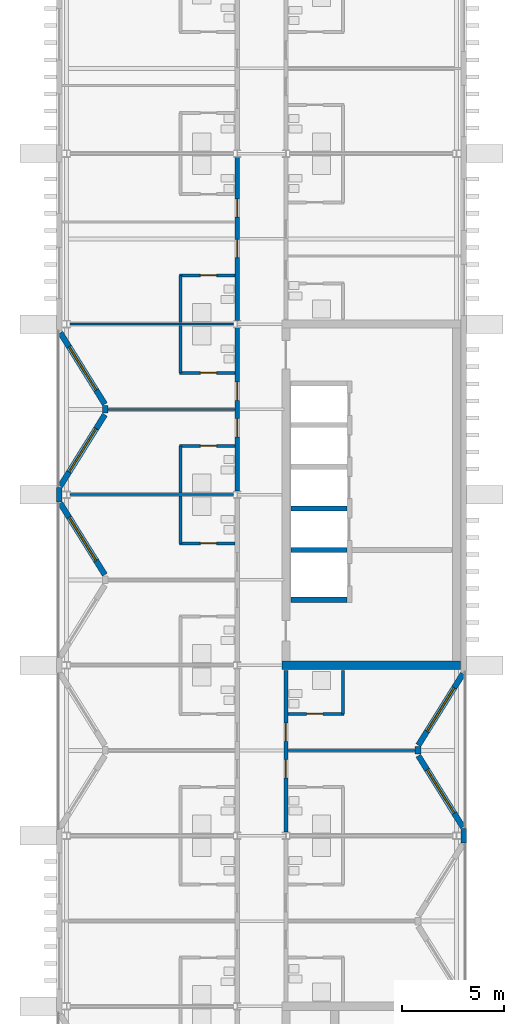
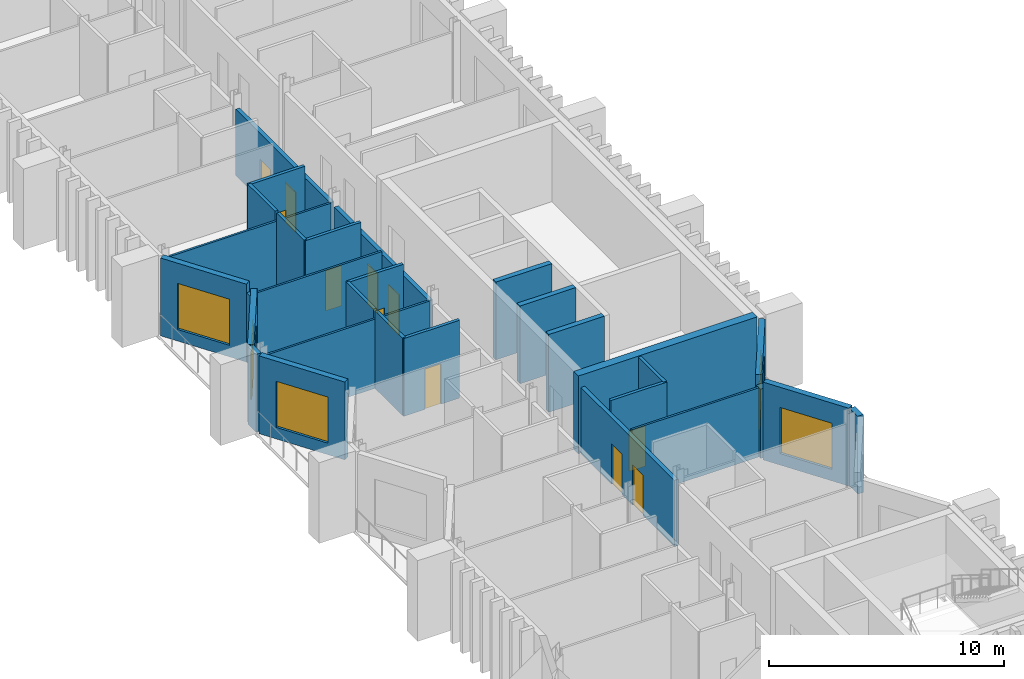
# One storey, part 6 of 11: 30 walls, 11 doors, 5 windows, 16 openings.
"""IFC4 building model written with IfcOpenShell, lengths in metres."""

from ifc_helpers import new_model, si_unit, direction, frame, frame_2d, origin, place, context, subcontext, project, spatial, rectangle, extrude, material, layer, layer_set, type_object, element, fill, save


model = new_model("IFC4")

# Units and contexts
model_context = context("Model", 3, precision=1e-05, world=origin(), true_north=direction((0.0, 1.0)))
body_context = subcontext(model_context, "Body", "Model", "MODEL_VIEW")
ifc_project = project(units=[si_unit("LENGTHUNIT", "METRE"), si_unit("AREAUNIT", "SQUARE_METRE"), si_unit("VOLUMEUNIT", "CUBIC_METRE"), si_unit("PLANEANGLEUNIT", "RADIAN"), si_unit("MASSUNIT", "GRAM", prefix="KILO")], contexts=[model_context])

# Site, building, storey
site_placement = place(None, origin())
site = spatial("IfcSite", under=ifc_project, at=site_placement, CompositionType="ELEMENT")
building_placement = place(site_placement, origin())
building = spatial("IfcBuilding", under=site, at=building_placement, Name="Cresset Court Congress Hotel", CompositionType="ELEMENT")
storey_placement = place(building_placement, frame((0.0, 0.0, 48.0)))
storey = spatial("IfcBuildingStorey", under=building, at=storey_placement, Name="L11", CompositionType="ELEMENT", Elevation=48.0)

# Wall, openings, doors
ifc_material_1 = material(Name="Gypsum board partition")
ifc_layer_1 = layer(ifc_material_1, 0.199951171875)
ifc_layer_set_1 = layer_set([ifc_layer_1], Name="Corridor wall 200")
wall_type_1 = type_object("IfcWallType", Name="Corridor wall 200", PredefinedType="PARTITIONING", material=ifc_layer_set_1)
wall_1_placement = place(storey_placement, frame((165.60009765625, 33.77490234375, 0.0), z_axis=(0.0, 0.0, 1.0), x_axis=(0.0, 1.0, 0.0)))
wall_1 = element("IfcWall", 1, at=wall_1_placement, inside=storey, type_object=wall_type_1, Name="A.wl.L11.074", PredefinedType="PARTITIONING", context=body_context, shape_type="SweptSolid", body=[
    extrude(rectangle(XDim=8.050048828125, YDim=0.199951171875, at=frame_2d((4.02490234375, 0.0))), origin(), (0.0, 0.0, 1.0), 3.449951171875),
])
opening_1_placement = place(wall_1_placement, frame((2.675048828125, 0.0, 0.0)))
opening_1 = element("IfcOpeningElement", 2, at=opening_1_placement, cuts=wall_1, Name="Opening DA-11-18", PredefinedType="OPENING", context=body_context, shape_type="SweptSolid", body=[
    extrude(rectangle(XDim=0.89990234375, YDim=2.10009765625, at=frame_2d((0.449951171875, 1.050048828125))), frame((0.0, 0.10986328125, 0.0), z_axis=(0.0, -1.0, 0.0), x_axis=(1.0, 0.0, 0.0)), (0.0, 0.0, 1.0), 0.219970703125),
])
opening_2_placement = place(wall_1_placement, frame((4.47509765625, 0.0, 0.0)))
opening_2 = element("IfcOpeningElement", 3, at=opening_2_placement, cuts=wall_1, Name="Opening DA-11-20", PredefinedType="OPENING", context=body_context, shape_type="SweptSolid", body=[
    extrude(rectangle(XDim=0.89990234375, YDim=2.10009765625, at=frame_2d((0.449951171875, 1.050048828125))), frame((0.0, 0.10986328125, 0.0), z_axis=(0.0, -1.0, 0.0), x_axis=(1.0, 0.0, 0.0)), (0.0, 0.0, 1.0), 0.219970703125),
])
ifc_material_2 = material(Name="timber", Category="wood")
door_type_1 = type_object("IfcDoorType", Name="Guest-room entry door 900x2100 FD30S", OperationType="SINGLE_SWING_LEFT", PredefinedType="DOOR", material=ifc_material_2)
door_1_placement = place(opening_1_placement, origin())
door_1 = element("IfcDoor", 4, at=door_1_placement, inside=storey, type_object=door_type_1, Name="Door DA-11-18", OperationType="SINGLE_SWING_RIGHT", OverallHeight=2.10009765625, OverallWidth=0.89990234375, PredefinedType="DOOR", context=body_context, shape_type="SweptSolid", body=[
    extrude(rectangle(XDim=0.89990234375, YDim=2.10009765625, at=frame_2d((0.449951171875, 1.050048828125))), frame((0.0, 0.02490234375, 0.0), z_axis=(0.0, -1.0, 0.0), x_axis=(1.0, 0.0, 0.0)), (0.0, 0.0, 1.0), 0.050048828125),
])
fill(opening_1, door_1)
door_2_placement = place(opening_2_placement, origin())
door_2 = element("IfcDoor", 5, at=door_2_placement, inside=storey, type_object=door_type_1, Name="Door DA-11-20", OperationType="SINGLE_SWING_LEFT", OverallHeight=2.10009765625, OverallWidth=0.89990234375, PredefinedType="DOOR", context=body_context, shape_type="SweptSolid", body=[
    extrude(rectangle(XDim=0.89990234375, YDim=2.10009765625, at=frame_2d((0.449951171875, 1.050048828125))), frame((0.0, 0.02490234375, 0.0), z_axis=(0.0, -1.0, 0.0), x_axis=(1.0, 0.0, 0.0)), (0.0, 0.0, 1.0), 0.050048828125),
])
fill(opening_2, door_2)

wall_2_placement = place(storey_placement, frame((165.60009765625, 42.175048828125, 0.0), z_axis=(0.0, 0.0, 1.0), x_axis=(0.0, 1.0, 0.0)))
wall_2 = element("IfcWall", 6, at=wall_2_placement, inside=storey, type_object=wall_type_1, Name="A.wl.L11.075", PredefinedType="PARTITIONING", context=body_context, shape_type="SweptSolid", body=[
    extrude(rectangle(XDim=8.050048828125, YDim=0.199951171875, at=frame_2d((4.02490234375, 0.0))), origin(), (0.0, 0.0, 1.0), 3.449951171875),
])
opening_3_placement = place(wall_2_placement, frame((3.094970703125, 0.0, 0.0)))
opening_3 = element("IfcOpeningElement", 7, at=opening_3_placement, cuts=wall_2, Name="Opening DA-11-22", PredefinedType="OPENING", context=body_context, shape_type="SweptSolid", body=[
    extrude(rectangle(XDim=0.89990234375, YDim=2.10009765625, at=frame_2d((0.449951171875, 1.050048828125))), frame((0.0, 0.10986328125, 0.0), z_axis=(0.0, -1.0, 0.0), x_axis=(1.0, 0.0, 0.0)), (0.0, 0.0, 1.0), 0.219970703125),
])
opening_4_placement = place(wall_2_placement, frame((5.094970703125, 0.0, 0.0)))
opening_4 = element("IfcOpeningElement", 8, at=opening_4_placement, cuts=wall_2, Name="Opening DA-11-24", PredefinedType="OPENING", context=body_context, shape_type="SweptSolid", body=[
    extrude(rectangle(XDim=0.89990234375, YDim=2.10009765625, at=frame_2d((0.449951171875, 1.050048828125))), frame((0.0, 0.10986328125, 0.0), z_axis=(0.0, -1.0, 0.0), x_axis=(1.0, 0.0, 0.0)), (0.0, 0.0, 1.0), 0.219970703125),
])
door_3_placement = place(opening_3_placement, origin())
door_3 = element("IfcDoor", 9, at=door_3_placement, inside=storey, type_object=door_type_1, Name="Door DA-11-22", OperationType="SINGLE_SWING_RIGHT", OverallHeight=2.10009765625, OverallWidth=0.89990234375, PredefinedType="DOOR", context=body_context, shape_type="SweptSolid", body=[
    extrude(rectangle(XDim=0.89990234375, YDim=2.10009765625, at=frame_2d((0.449951171875, 1.050048828125))), frame((0.0, 0.02490234375, 0.0), z_axis=(0.0, -1.0, 0.0), x_axis=(1.0, 0.0, 0.0)), (0.0, 0.0, 1.0), 0.050048828125),
])
fill(opening_3, door_3)
door_4_placement = place(opening_4_placement, origin())
door_4 = element("IfcDoor", 10, at=door_4_placement, inside=storey, type_object=door_type_1, Name="Door DA-11-24", OperationType="SINGLE_SWING_LEFT", OverallHeight=2.10009765625, OverallWidth=0.89990234375, PredefinedType="DOOR", context=body_context, shape_type="SweptSolid", body=[
    extrude(rectangle(XDim=0.89990234375, YDim=2.10009765625, at=frame_2d((0.449951171875, 1.050048828125))), frame((0.0, 0.02490234375, 0.0), z_axis=(0.0, -1.0, 0.0), x_axis=(1.0, 0.0, 0.0)), (0.0, 0.0, 1.0), 0.050048828125),
])
fill(opening_4, door_4)

wall_3_placement = place(storey_placement, frame((168.0, 16.97509765625, 0.0), z_axis=(0.0, 0.0, 1.0), x_axis=(0.0, 1.0, 0.0)))
wall_3 = element("IfcWall", 11, at=wall_3_placement, inside=storey, type_object=wall_type_1, Name="A.wl.L11.079", PredefinedType="PARTITIONING", context=body_context, shape_type="SweptSolid", body=[
    extrude(rectangle(XDim=7.974853515625, YDim=0.199951171875, at=frame_2d((3.9873046875, 0.0))), origin(), (0.0, 0.0, 1.0), 3.449951171875),
])
opening_5_placement = place(wall_3_placement, frame((2.675048828125, 0.0, 0.0)))
opening_5 = element("IfcOpeningElement", 12, at=opening_5_placement, cuts=wall_3, Name="Opening DA-11-38", PredefinedType="OPENING", context=body_context, shape_type="SweptSolid", body=[
    extrude(rectangle(XDim=0.89990234375, YDim=2.10009765625, at=frame_2d((0.449951171875, 1.050048828125))), frame((0.0, 0.10986328125, 0.0), z_axis=(0.0, -1.0, 0.0), x_axis=(1.0, 0.0, 0.0)), (0.0, 0.0, 1.0), 0.219970703125),
])
opening_6_placement = place(wall_3_placement, frame((4.47509765625, 0.0, 0.0)))
opening_6 = element("IfcOpeningElement", 13, at=opening_6_placement, cuts=wall_3, Name="Opening DA-11-40", PredefinedType="OPENING", context=body_context, shape_type="SweptSolid", body=[
    extrude(rectangle(XDim=0.89990234375, YDim=2.10009765625, at=frame_2d((0.449951171875, 1.050048828125))), frame((0.0, 0.10986328125, 0.0), z_axis=(0.0, -1.0, 0.0), x_axis=(1.0, 0.0, 0.0)), (0.0, 0.0, 1.0), 0.219970703125),
])
door_5_placement = place(opening_5_placement, origin())
door_5 = element("IfcDoor", 14, at=door_5_placement, inside=storey, type_object=door_type_1, Name="Door DA-11-38", OperationType="SINGLE_SWING_RIGHT", OverallHeight=2.10009765625, OverallWidth=0.89990234375, PredefinedType="DOOR", context=body_context, shape_type="SweptSolid", body=[
    extrude(rectangle(XDim=0.89990234375, YDim=2.10009765625, at=frame_2d((0.449951171875, 1.050048828125))), frame((0.0, 0.02490234375, 0.0), z_axis=(0.0, -1.0, 0.0), x_axis=(1.0, 0.0, 0.0)), (0.0, 0.0, 1.0), 0.050048828125),
])
fill(opening_5, door_5)
door_6_placement = place(opening_6_placement, origin())
door_6 = element("IfcDoor", 15, at=door_6_placement, inside=storey, type_object=door_type_1, Name="Door DA-11-40", OperationType="SINGLE_SWING_LEFT", OverallHeight=2.10009765625, OverallWidth=0.89990234375, PredefinedType="DOOR", context=body_context, shape_type="SweptSolid", body=[
    extrude(rectangle(XDim=0.89990234375, YDim=2.10009765625, at=frame_2d((0.449951171875, 1.050048828125))), frame((0.0, 0.02490234375, 0.0), z_axis=(0.0, -1.0, 0.0), x_axis=(1.0, 0.0, 0.0)), (0.0, 0.0, 1.0), 0.050048828125),
])
fill(opening_6, door_6)

# Wall
ifc_material_3 = material(Name="Gypsum board partition")
ifc_layer_2 = layer(ifc_material_3, 0.14990234375)
ifc_layer_set_2 = layer_set([ifc_layer_2], Name="En-suite wall 150")
wall_type_2 = type_object("IfcWallType", Name="En-suite wall 150", PredefinedType="PARTITIONING", material=ifc_layer_set_2)
wall_4_placement = place(storey_placement, frame((162.800048828125, 31.199951171875, 0.0), z_axis=(0.0, 0.0, 1.0), x_axis=(0.0, 1.0, 0.0)))
element("IfcWall", 16, at=wall_4_placement, inside=storey, type_object=wall_type_2, Name="A.wl.L11.015", PredefinedType="PARTITIONING", context=body_context, shape_type="SweptSolid", body=[
    extrude(rectangle(XDim=2.324951171875, YDim=0.14990234375, at=frame_2d((1.16259765625, 0.0))), origin(), (0.0, 0.0, 1.0), 4.050048828125),
])

# Wall, opening, door
wall_5_placement = place(storey_placement, frame((162.75, 31.199951171875, 0.0), z_axis=(0.0, 0.0, 1.0), x_axis=(1.0, 0.0, 0.0)))
wall_5 = element("IfcWall", 17, at=wall_5_placement, inside=storey, type_object=wall_type_2, Name="A.wl.L11.016", PredefinedType="PARTITIONING", context=body_context, shape_type="SweptSolid", body=[
    extrude(rectangle(XDim=2.75, YDim=0.14990234375, at=frame_2d((1.375, 0.0))), origin(), (0.0, 0.0, 1.0), 4.050048828125),
])
opening_7_placement = place(wall_5_placement, frame((1.030029296875, 0.0, 0.0)))
opening_7 = element("IfcOpeningElement", 18, at=opening_7_placement, cuts=wall_5, Name="Opening DA-11-15", PredefinedType="OPENING", context=body_context, shape_type="SweptSolid", body=[
    extrude(rectangle(XDim=0.800048828125, YDim=2.10009765625, at=frame_2d((0.39990234375, 1.050048828125))), frame((0.0, 0.0849609375, 0.0), z_axis=(0.0, -1.0, 0.0), x_axis=(1.0, 0.0, 0.0)), (0.0, 0.0, 1.0), 0.169921875),
])
ifc_material_4 = material(Name="timber", Category="wood")
door_type_2 = type_object("IfcDoorType", Name="En-suite door 800x2100", OperationType="SINGLE_SWING_LEFT", PredefinedType="DOOR", material=ifc_material_4)
door_7_placement = place(opening_7_placement, origin())
door_7 = element("IfcDoor", 19, at=door_7_placement, inside=storey, type_object=door_type_2, Name="Door DA-11-15", OperationType="SINGLE_SWING_LEFT", OverallHeight=2.10009765625, OverallWidth=0.800048828125, PredefinedType="DOOR", context=body_context, shape_type="SweptSolid", body=[
    extrude(rectangle(XDim=0.800048828125, YDim=2.10009765625, at=frame_2d((0.39990234375, 1.050048828125))), frame((0.0, 0.02490234375, 0.0), z_axis=(0.0, -1.0, 0.0), x_axis=(1.0, 0.0, 0.0)), (0.0, 0.0, 1.0), 0.050048828125),
])
fill(opening_7, door_7)

# Wall
wall_6_placement = place(storey_placement, frame((162.800048828125, 33.675048828125, 0.0), z_axis=(0.0, 0.0, 1.0), x_axis=(0.0, 1.0, 0.0)))
element("IfcWall", 20, at=wall_6_placement, inside=storey, type_object=wall_type_2, Name="A.wl.L11.017", PredefinedType="PARTITIONING", context=body_context, shape_type="SweptSolid", body=[
    extrude(rectangle(XDim=2.324951171875, YDim=0.14990234375, at=frame_2d((1.16259765625, 0.0))), origin(), (0.0, 0.0, 1.0), 4.050048828125),
])

# Wall, opening, door
wall_7_placement = place(storey_placement, frame((162.75, 36.0, 0.0), z_axis=(0.0, 0.0, 1.0), x_axis=(1.0, 0.0, 0.0)))
wall_7 = element("IfcWall", 21, at=wall_7_placement, inside=storey, type_object=wall_type_2, Name="A.wl.L11.018", PredefinedType="PARTITIONING", context=body_context, shape_type="SweptSolid", body=[
    extrude(rectangle(XDim=2.75, YDim=0.14990234375, at=frame_2d((1.375, 0.0))), origin(), (0.0, 0.0, 1.0), 4.050048828125),
])
opening_8_placement = place(wall_7_placement, frame((1.030029296875, 0.0, 0.0)))
opening_8 = element("IfcOpeningElement", 22, at=opening_8_placement, cuts=wall_7, Name="Opening DA-11-17", PredefinedType="OPENING", context=body_context, shape_type="SweptSolid", body=[
    extrude(rectangle(XDim=0.800048828125, YDim=2.10009765625, at=frame_2d((0.39990234375, 1.050048828125))), frame((0.0, 0.0849609375, 0.0), z_axis=(0.0, -1.0, 0.0), x_axis=(1.0, 0.0, 0.0)), (0.0, 0.0, 1.0), 0.169921875),
])
door_8_placement = place(opening_8_placement, origin())
door_8 = element("IfcDoor", 23, at=door_8_placement, inside=storey, type_object=door_type_2, Name="Door DA-11-17", OperationType="SINGLE_SWING_RIGHT", OverallHeight=2.10009765625, OverallWidth=0.800048828125, PredefinedType="DOOR", context=body_context, shape_type="SweptSolid", body=[
    extrude(rectangle(XDim=0.800048828125, YDim=2.10009765625, at=frame_2d((0.39990234375, 1.050048828125))), frame((0.0, 0.02490234375, 0.0), z_axis=(0.0, -1.0, 0.0), x_axis=(1.0, 0.0, 0.0)), (0.0, 0.0, 1.0), 0.050048828125),
])
fill(opening_8, door_8)

# Wall
wall_8_placement = place(storey_placement, frame((162.800048828125, 39.60009765625, 0.0), z_axis=(0.0, 0.0, 1.0), x_axis=(0.0, 1.0, 0.0)))
element("IfcWall", 24, at=wall_8_placement, inside=storey, type_object=wall_type_2, Name="A.wl.L11.019", PredefinedType="PARTITIONING", context=body_context, shape_type="SweptSolid", body=[
    extrude(rectangle(XDim=2.324951171875, YDim=0.14990234375, at=frame_2d((1.16259765625, 0.0))), origin(), (0.0, 0.0, 1.0), 4.050048828125),
])

# Wall, opening, door
wall_9_placement = place(storey_placement, frame((162.75, 39.60009765625, 0.0), z_axis=(0.0, 0.0, 1.0), x_axis=(1.0, 0.0, 0.0)))
wall_9 = element("IfcWall", 25, at=wall_9_placement, inside=storey, type_object=wall_type_2, Name="A.wl.L11.020", PredefinedType="PARTITIONING", context=body_context, shape_type="SweptSolid", body=[
    extrude(rectangle(XDim=2.75, YDim=0.14990234375, at=frame_2d((1.375, 0.0))), origin(), (0.0, 0.0, 1.0), 4.050048828125),
])
opening_9_placement = place(wall_9_placement, frame((1.030029296875, 0.0, 0.0)))
opening_9 = element("IfcOpeningElement", 26, at=opening_9_placement, cuts=wall_9, Name="Opening DA-11-19", PredefinedType="OPENING", context=body_context, shape_type="SweptSolid", body=[
    extrude(rectangle(XDim=0.800048828125, YDim=2.10009765625, at=frame_2d((0.39990234375, 1.050048828125))), frame((0.0, 0.0849609375, 0.0), z_axis=(0.0, -1.0, 0.0), x_axis=(1.0, 0.0, 0.0)), (0.0, 0.0, 1.0), 0.169921875),
])
door_9_placement = place(opening_9_placement, origin())
door_9 = element("IfcDoor", 27, at=door_9_placement, inside=storey, type_object=door_type_2, Name="Door DA-11-19", OperationType="SINGLE_SWING_LEFT", OverallHeight=2.10009765625, OverallWidth=0.800048828125, PredefinedType="DOOR", context=body_context, shape_type="SweptSolid", body=[
    extrude(rectangle(XDim=0.800048828125, YDim=2.10009765625, at=frame_2d((0.39990234375, 1.050048828125))), frame((0.0, 0.02490234375, 0.0), z_axis=(0.0, -1.0, 0.0), x_axis=(1.0, 0.0, 0.0)), (0.0, 0.0, 1.0), 0.050048828125),
])
fill(opening_9, door_9)

# Wall
wall_10_placement = place(storey_placement, frame((162.800048828125, 42.074951171875, 0.0), z_axis=(0.0, 0.0, 1.0), x_axis=(0.0, 1.0, 0.0)))
element("IfcWall", 28, at=wall_10_placement, inside=storey, type_object=wall_type_2, Name="A.wl.L11.021", PredefinedType="PARTITIONING", context=body_context, shape_type="SweptSolid", body=[
    extrude(rectangle(XDim=2.324951171875, YDim=0.14990234375, at=frame_2d((1.16259765625, 0.0))), origin(), (0.0, 0.0, 1.0), 4.050048828125),
])

# Wall, opening, door
wall_11_placement = place(storey_placement, frame((162.75, 44.39990234375, 0.0), z_axis=(0.0, 0.0, 1.0), x_axis=(1.0, 0.0, 0.0)))
wall_11 = element("IfcWall", 29, at=wall_11_placement, inside=storey, type_object=wall_type_2, Name="A.wl.L11.022", PredefinedType="PARTITIONING", context=body_context, shape_type="SweptSolid", body=[
    extrude(rectangle(XDim=2.75, YDim=0.14990234375, at=frame_2d((1.375, 0.0))), origin(), (0.0, 0.0, 1.0), 4.050048828125),
])
opening_10_placement = place(wall_11_placement, frame((1.030029296875, 0.0, 0.0)))
opening_10 = element("IfcOpeningElement", 30, at=opening_10_placement, cuts=wall_11, Name="Opening DA-11-21", PredefinedType="OPENING", context=body_context, shape_type="SweptSolid", body=[
    extrude(rectangle(XDim=0.800048828125, YDim=2.10009765625, at=frame_2d((0.39990234375, 1.050048828125))), frame((0.0, 0.0849609375, 0.0), z_axis=(0.0, -1.0, 0.0), x_axis=(1.0, 0.0, 0.0)), (0.0, 0.0, 1.0), 0.169921875),
])
door_10_placement = place(opening_10_placement, origin())
door_10 = element("IfcDoor", 31, at=door_10_placement, inside=storey, type_object=door_type_2, Name="Door DA-11-21", OperationType="SINGLE_SWING_RIGHT", OverallHeight=2.10009765625, OverallWidth=0.800048828125, PredefinedType="DOOR", context=body_context, shape_type="SweptSolid", body=[
    extrude(rectangle(XDim=0.800048828125, YDim=2.10009765625, at=frame_2d((0.39990234375, 1.050048828125))), frame((0.0, 0.02490234375, 0.0), z_axis=(0.0, -1.0, 0.0), x_axis=(1.0, 0.0, 0.0)), (0.0, 0.0, 1.0), 0.050048828125),
])
fill(opening_10, door_10)

# Wall
wall_12_placement = place(storey_placement, frame((170.800048828125, 22.800048828125, 0.0), z_axis=(0.0, 0.0, 1.0), x_axis=(0.0, 1.0, 0.0)))
element("IfcWall", 32, at=wall_12_placement, inside=storey, type_object=wall_type_2, Name="A.wl.L11.039", PredefinedType="PARTITIONING", context=body_context, shape_type="SweptSolid", body=[
    extrude(rectangle(XDim=2.14990234375, YDim=0.14990234375, at=frame_2d((1.074951171875, 0.0))), origin(), (0.0, 0.0, 1.0), 4.050048828125),
])

# Wall, opening, door
wall_13_placement = place(storey_placement, frame((170.85009765625, 22.800048828125, 0.0), z_axis=(0.0, 0.0, 1.0), x_axis=(-1.0, 0.0, 0.0)))
wall_13 = element("IfcWall", 33, at=wall_13_placement, inside=storey, type_object=wall_type_2, Name="A.wl.L11.040", PredefinedType="PARTITIONING", context=body_context, shape_type="SweptSolid", body=[
    extrude(rectangle(XDim=2.75, YDim=0.14990234375, at=frame_2d((1.375, 0.0))), origin(), (0.0, 0.0, 1.0), 4.050048828125),
])
opening_11_placement = place(wall_13_placement, frame((1.030029296875, 0.0, 0.0)))
opening_11 = element("IfcOpeningElement", 34, at=opening_11_placement, cuts=wall_13, Name="Opening DA-11-39", PredefinedType="OPENING", context=body_context, shape_type="SweptSolid", body=[
    extrude(rectangle(XDim=0.800048828125, YDim=2.10009765625, at=frame_2d((0.39990234375, 1.050048828125))), frame((0.0, 0.0849609375, 0.0), z_axis=(0.0, -1.0, 0.0), x_axis=(1.0, 0.0, 0.0)), (0.0, 0.0, 1.0), 0.169921875),
])
door_11_placement = place(opening_11_placement, origin())
door_11 = element("IfcDoor", 35, at=door_11_placement, inside=storey, type_object=door_type_2, Name="Door DA-11-39", OperationType="SINGLE_SWING_LEFT", OverallHeight=2.10009765625, OverallWidth=0.800048828125, PredefinedType="DOOR", context=body_context, shape_type="SweptSolid", body=[
    extrude(rectangle(XDim=0.800048828125, YDim=2.10009765625, at=frame_2d((0.39990234375, 1.050048828125))), frame((0.0, 0.02490234375, 0.0), z_axis=(0.0, -1.0, 0.0), x_axis=(1.0, 0.0, 0.0)), (0.0, 0.0, 1.0), 0.050048828125),
])
fill(opening_11, door_11)

# Wall, opening, window
ifc_material_5 = material(Name="Precast concrete C50", Category="concrete")
ifc_layer_3 = layer(ifc_material_5, 0.280029296875)
ifc_layer_set_3 = layer_set([ifc_layer_3], Name="External wall 280")
wall_type_3 = type_object("IfcWallType", Name="External wall 280", PredefinedType="SOLIDWALL", material=ifc_layer_set_3)
wall_14_placement = place(storey_placement, frame((159.07861328125, 29.658935546875, 0.0), z_axis=(0.0, 0.0, 1.0), x_axis=(-0.529018946142, 0.848610013271, 0.0)))
wall_14 = element("IfcWall", 36, at=wall_14_placement, inside=storey, type_object=wall_type_3, Name="A.ew.L11.Wn.3.1", PredefinedType="SOLIDWALL", context=body_context, shape_type="SweptSolid", body=[
    extrude(rectangle(XDim=4.144287109375, YDim=0.280029296875, at=frame_2d((2.072265625, 0.0))), origin(), (0.0, 0.0, 1.0), 4.050048828125),
])
opening_12_placement = place(wall_14_placement, frame((0.812255859375, 0.0, 0.60009765625)))
opening_12 = element("IfcOpeningElement", 37, at=opening_12_placement, cuts=wall_14, Name="Opening NA-11-08", PredefinedType="OPENING", context=body_context, shape_type="SweptSolid", body=[
    extrude(rectangle(XDim=2.52001953125, YDim=2.39990234375, at=frame_2d((1.260009765625, 1.199951171875))), frame((0.0, 0.14990234375, 0.0), z_axis=(0.0, -1.0, 0.0), x_axis=(1.0, 0.0, 0.0)), (0.0, 0.0, 1.0), 0.300048828125),
])
ifc_material_6 = material(Name="Aluminium and glass", Category="aluminium")
window_type = type_object("IfcWindowType", Name="Window 2520x2400", PartitioningType="SINGLE_PANEL", PredefinedType="WINDOW", material=ifc_material_6)
window_1_placement = place(opening_12_placement, origin())
window_1 = element("IfcWindow", 38, at=window_1_placement, inside=storey, type_object=window_type, Name="Window NA-11-08", OverallHeight=2.39990234375, OverallWidth=2.52001953125, PartitioningType="SINGLE_PANEL", PredefinedType="WINDOW", context=body_context, shape_type="SweptSolid", body=[
    extrude(rectangle(XDim=2.52001953125, YDim=2.39990234375, at=frame_2d((1.260009765625, 1.199951171875))), frame((0.0, 0.030029296875, 0.0), z_axis=(0.0, -1.0, 0.0), x_axis=(1.0, 0.0, 0.0)), (0.0, 0.0, 1.0), 0.06005859375),
])
fill(opening_12, window_1)

# Wall
wall_15_placement = place(storey_placement, frame((156.840087890625, 33.25, 0.0), z_axis=(0.0, 0.0, 1.0), x_axis=(0.0, 1.0, 0.0)))
element("IfcWall", 39, at=wall_15_placement, inside=storey, type_object=wall_type_3, Name="A.ew.L11.W.4", PredefinedType="SOLIDWALL", context=body_context, shape_type="SweptSolid", body=[
    extrude(rectangle(XDim=0.699951171875, YDim=0.280029296875, at=frame_2d((0.35009765625, 0.0))), origin(), (0.0, 0.0, 1.0), 4.050048828125),
])

# Wall, opening, window
wall_16_placement = place(storey_placement, frame((156.88623046875, 34.024169921875, 0.0), z_axis=(0.0, 0.0, 1.0), x_axis=(0.529018946142, 0.848610013271, 0.0)))
wall_16 = element("IfcWall", 40, at=wall_16_placement, inside=storey, type_object=wall_type_3, Name="A.ew.L11.Wn.4.0", PredefinedType="SOLIDWALL", context=body_context, shape_type="SweptSolid", body=[
    extrude(rectangle(XDim=4.144287109375, YDim=0.280029296875, at=frame_2d((2.072265625, 0.0))), origin(), (0.0, 0.0, 1.0), 4.050048828125),
])
opening_13_placement = place(wall_16_placement, frame((0.812255859375, 0.0, 0.60009765625)))
opening_13 = element("IfcOpeningElement", 41, at=opening_13_placement, cuts=wall_16, Name="Opening NA-11-09", PredefinedType="OPENING", context=body_context, shape_type="SweptSolid", body=[
    extrude(rectangle(XDim=2.52001953125, YDim=2.39990234375, at=frame_2d((1.260009765625, 1.199951171875))), frame((0.0, 0.14990234375, 0.0), z_axis=(0.0, -1.0, 0.0), x_axis=(1.0, 0.0, 0.0)), (0.0, 0.0, 1.0), 0.300048828125),
])
window_2_placement = place(opening_13_placement, origin())
window_2 = element("IfcWindow", 42, at=window_2_placement, inside=storey, type_object=window_type, Name="Window NA-11-09", OverallHeight=2.39990234375, OverallWidth=2.52001953125, PartitioningType="SINGLE_PANEL", PredefinedType="WINDOW", context=body_context, shape_type="SweptSolid", body=[
    extrude(rectangle(XDim=2.52001953125, YDim=2.39990234375, at=frame_2d((1.260009765625, 1.199951171875))), frame((0.0, 0.030029296875, 0.0), z_axis=(0.0, -1.0, 0.0), x_axis=(1.0, 0.0, 0.0)), (0.0, 0.0, 1.0), 0.06005859375),
])
fill(opening_13, window_2)

wall_17_placement = place(storey_placement, frame((159.07861328125, 38.05908203125, 0.0), z_axis=(0.0, 0.0, 1.0), x_axis=(-0.529018946142, 0.848610013271, 0.0)))
wall_17 = element("IfcWall", 43, at=wall_17_placement, inside=storey, type_object=wall_type_3, Name="A.ew.L11.Wn.4.1", PredefinedType="SOLIDWALL", context=body_context, shape_type="SweptSolid", body=[
    extrude(rectangle(XDim=4.144287109375, YDim=0.280029296875, at=frame_2d((2.072265625, 0.0))), origin(), (0.0, 0.0, 1.0), 4.050048828125),
])
opening_14_placement = place(wall_17_placement, frame((0.812255859375, 0.0, 0.60009765625)))
opening_14 = element("IfcOpeningElement", 44, at=opening_14_placement, cuts=wall_17, Name="Opening NA-11-10", PredefinedType="OPENING", context=body_context, shape_type="SweptSolid", body=[
    extrude(rectangle(XDim=2.52001953125, YDim=2.39990234375, at=frame_2d((1.260009765625, 1.199951171875))), frame((0.0, 0.14990234375, 0.0), z_axis=(0.0, -1.0, 0.0), x_axis=(1.0, 0.0, 0.0)), (0.0, 0.0, 1.0), 0.300048828125),
])
window_3_placement = place(opening_14_placement, origin())
window_3 = element("IfcWindow", 45, at=window_3_placement, inside=storey, type_object=window_type, Name="Window NA-11-10", OverallHeight=2.39990234375, OverallWidth=2.52001953125, PartitioningType="SINGLE_PANEL", PredefinedType="WINDOW", context=body_context, shape_type="SweptSolid", body=[
    extrude(rectangle(XDim=2.52001953125, YDim=2.39990234375, at=frame_2d((1.260009765625, 1.199951171875))), frame((0.0, 0.030029296875, 0.0), z_axis=(0.0, -1.0, 0.0), x_axis=(1.0, 0.0, 0.0)), (0.0, 0.0, 1.0), 0.06005859375),
])
fill(opening_14, window_3)

# Walls
wall_18_placement = place(storey_placement, frame((159.099609375, 37.614990234375, 0.0), z_axis=(0.0, 0.0, 1.0), x_axis=(0.0, 1.0, 0.0)))
element("IfcWall", 46, at=wall_18_placement, inside=storey, type_object=wall_type_3, Name="A.ew.L11.Wn.4.2", PredefinedType="SOLIDWALL", context=body_context, shape_type="SweptSolid", body=[
    extrude(rectangle(XDim=0.369873046875, YDim=0.280029296875, at=frame_2d((0.18505859375, 0.0))), origin(), (0.0, 0.0, 1.0), 3.60400390625),
])
wall_19_placement = place(storey_placement, frame((176.760009765625, 16.449951171875, 0.0), z_axis=(0.0, 0.0, 1.0), x_axis=(0.0, 1.0, 0.0)))
element("IfcWall", 47, at=wall_19_placement, inside=storey, type_object=wall_type_3, Name="A.ew.L11.E.2", PredefinedType="SOLIDWALL", context=body_context, shape_type="SweptSolid", body=[
    extrude(rectangle(XDim=0.699951171875, YDim=0.280029296875, at=frame_2d((0.35009765625, 0.0))), origin(), (0.0, 0.0, 1.0), 4.050048828125),
])

# Wall, opening, window
wall_20_placement = place(storey_placement, frame((176.7138671875, 17.22412109375, 0.0), z_axis=(0.0, 0.0, 1.0), x_axis=(-0.529018946142, 0.848610013271, 0.0)))
wall_20 = element("IfcWall", 48, at=wall_20_placement, inside=storey, type_object=wall_type_3, Name="A.ew.L11.En.2.0", PredefinedType="SOLIDWALL", context=body_context, shape_type="SweptSolid", body=[
    extrude(rectangle(XDim=4.144287109375, YDim=0.280029296875, at=frame_2d((2.072265625, 0.0))), origin(), (0.0, 0.0, 1.0), 4.050048828125),
])
opening_15_placement = place(wall_20_placement, frame((0.81201171875, 0.0, 0.60009765625)))
opening_15 = element("IfcOpeningElement", 49, at=opening_15_placement, cuts=wall_20, Name="Opening NA-11-19", PredefinedType="OPENING", context=body_context, shape_type="SweptSolid", body=[
    extrude(rectangle(XDim=2.52001953125, YDim=2.39990234375, at=frame_2d((1.260009765625, 1.199951171875))), frame((0.0, 0.14990234375, 0.0), z_axis=(0.0, -1.0, 0.0), x_axis=(1.0, 0.0, 0.0)), (0.0, 0.0, 1.0), 0.300048828125),
])
window_4_placement = place(opening_15_placement, origin())
window_4 = element("IfcWindow", 50, at=window_4_placement, inside=storey, type_object=window_type, Name="Window NA-11-19", OverallHeight=2.39990234375, OverallWidth=2.52001953125, PartitioningType="SINGLE_PANEL", PredefinedType="WINDOW", context=body_context, shape_type="SweptSolid", body=[
    extrude(rectangle(XDim=2.52001953125, YDim=2.39990234375, at=frame_2d((1.260009765625, 1.199951171875))), frame((0.0, 0.030029296875, 0.0), z_axis=(0.0, -1.0, 0.0), x_axis=(1.0, 0.0, 0.0)), (0.0, 0.0, 1.0), 0.06005859375),
])
fill(opening_15, window_4)

wall_21_placement = place(storey_placement, frame((174.521484375, 21.259033203125, 0.0), z_axis=(0.0, 0.0, 1.0), x_axis=(0.529018946142, 0.848610013271, 0.0)))
wall_21 = element("IfcWall", 51, at=wall_21_placement, inside=storey, type_object=wall_type_3, Name="A.ew.L11.En.2.1", PredefinedType="SOLIDWALL", context=body_context, shape_type="SweptSolid", body=[
    extrude(rectangle(XDim=4.144287109375, YDim=0.280029296875, at=frame_2d((2.072265625, 0.0))), origin(), (0.0, 0.0, 1.0), 4.050048828125),
])
opening_16_placement = place(wall_21_placement, frame((0.81201171875, 0.0, 0.60009765625)))
opening_16 = element("IfcOpeningElement", 52, at=opening_16_placement, cuts=wall_21, Name="Opening NA-11-20", PredefinedType="OPENING", context=body_context, shape_type="SweptSolid", body=[
    extrude(rectangle(XDim=2.52001953125, YDim=2.39990234375, at=frame_2d((1.260009765625, 1.199951171875))), frame((0.0, 0.14990234375, 0.0), z_axis=(0.0, -1.0, 0.0), x_axis=(1.0, 0.0, 0.0)), (0.0, 0.0, 1.0), 0.300048828125),
])
window_5_placement = place(opening_16_placement, origin())
window_5 = element("IfcWindow", 53, at=window_5_placement, inside=storey, type_object=window_type, Name="Window NA-11-20", OverallHeight=2.39990234375, OverallWidth=2.52001953125, PartitioningType="SINGLE_PANEL", PredefinedType="WINDOW", context=body_context, shape_type="SweptSolid", body=[
    extrude(rectangle(XDim=2.52001953125, YDim=2.39990234375, at=frame_2d((1.260009765625, 1.199951171875))), frame((0.0, 0.030029296875, 0.0), z_axis=(0.0, -1.0, 0.0), x_axis=(1.0, 0.0, 0.0)), (0.0, 0.0, 1.0), 0.06005859375),
])
fill(opening_16, window_5)

# Walls
wall_22_placement = place(storey_placement, frame((174.500244140625, 20.815185546875, 0.0), z_axis=(0.0, 0.0, 1.0), x_axis=(0.0, 1.0, 0.0)))
element("IfcWall", 54, at=wall_22_placement, inside=storey, type_object=wall_type_3, Name="A.ew.L11.En.2.2", PredefinedType="SOLIDWALL", context=body_context, shape_type="SweptSolid", body=[
    extrude(rectangle(XDim=0.36962890625, YDim=0.280029296875, at=frame_2d((0.184814453125, 0.0))), origin(), (0.0, 0.0, 1.0), 3.60400390625),
])
ifc_material_7 = material(Name="Gypsum board partition")
ifc_layer_4 = layer(ifc_material_7, 0.10009765625)
ifc_layer_set_4 = layer_set([ifc_layer_4], Name="Guest-room partition 100")
wall_type_4 = type_object("IfcWallType", Name="Guest-room partition 100", PredefinedType="PARTITIONING", material=ifc_layer_set_4)
for number, where, z_axis, x_axis, name in (
    (55, (157.375, 33.60009765625, 0.0), (0.0, 0.0, 1.0), (1.0, 0.0, 0.0), "A.wl.L11.052"),
    (56, (157.375, 42.0, 0.0), (0.0, 0.0, 1.0), (1.0, 0.0, 0.0), "A.wl.L11.053"),
):
    element("IfcWall", number, at=place(storey_placement, frame(where, z_axis=z_axis, x_axis=x_axis)), inside=storey, type_object=wall_type_4, Name=name, PredefinedType="PARTITIONING", context=body_context, shape_type="SweptSolid", body=[
        extrude(rectangle(XDim=8.050048828125, YDim=0.10009765625, at=frame_2d((4.02490234375, 0.0))), origin(), (0.0, 0.0, 1.0), 3.60400390625),
    ])
for number, where, z_axis, x_axis, name in (
    (57, (159.23974609375, 37.800048828125, 0.0), (0.0, 0.0, 1.0), (1.0, 0.0, 0.0), "A.wl.L11.062"),
    (58, (168.10009765625, 21.0, 0.0), (0.0, 0.0, 1.0), (1.0, 0.0, 0.0), "A.wl.L11.067"),
):
    element("IfcWall", number, at=place(storey_placement, frame(where, z_axis=z_axis, x_axis=x_axis)), inside=storey, type_object=wall_type_4, Name=name, PredefinedType="PARTITIONING", context=body_context, shape_type="SweptSolid", body=[
        extrude(rectangle(XDim=6.26025390625, YDim=0.10009765625, at=frame_2d((3.130126953125, 0.0))), origin(), (0.0, 0.0, 1.0), 3.60400390625),
    ])
ifc_material_8 = material(Name="Concrete C50", Category="concrete")
ifc_layer_5 = layer(ifc_material_8, 0.39990234375)
ifc_layer_set_5 = layer_set([ifc_layer_5], Name="Lift core wall 400")
wall_type_5 = type_object("IfcWallType", Name="Lift core wall 400", PredefinedType="SOLIDWALL", material=ifc_layer_set_5)
wall_23_placement = place(storey_placement, frame((167.800048828125, 25.199951171875, 0.0), z_axis=(0.0, 0.0, 1.0), x_axis=(1.0, 0.0, 0.0)))
element("IfcWall", 59, at=wall_23_placement, inside=storey, type_object=wall_type_5, Name="A.cw.LC-A.L11.S", PredefinedType="SOLIDWALL", context=body_context, shape_type="SweptSolid", body=[
    extrude(rectangle(XDim=8.800048828125, YDim=0.39990234375, at=frame_2d((4.39990234375, 0.0))), origin(), (0.0, 0.0, 1.0), 4.050048828125),
])
ifc_material_9 = material(Name="Concrete C50", Category="concrete")
ifc_layer_6 = layer(ifc_material_9, 0.25)
ifc_layer_set_6 = layer_set([ifc_layer_6], Name="Lift shaft wall 250")
wall_type_6 = type_object("IfcWallType", Name="Lift shaft wall 250", PredefinedType="SOLIDWALL", material=ifc_layer_set_6)
for number, where, z_axis, x_axis, name in (
    (60, (168.25, 28.425048828125, 0.0), (0.0, 0.0, 1.0), (1.0, 0.0, 0.0), "A.wl.L11.087"),
    (61, (168.25, 30.875, 0.0), (0.0, 0.0, 1.0), (1.0, 0.0, 0.0), "A.wl.L11.088"),
    (62, (168.25, 32.925048828125, 0.0), (0.0, 0.0, 1.0), (1.0, 0.0, 0.0), "A.wl.L11.089"),
):
    element("IfcWall", number, at=place(storey_placement, frame(where, z_axis=z_axis, x_axis=x_axis)), inside=storey, type_object=wall_type_6, Name=name, PredefinedType="SOLIDWALL", context=body_context, shape_type="SweptSolid", body=[
        extrude(rectangle(XDim=2.75, YDim=0.25, at=frame_2d((1.375, 0.0))), origin(), (0.0, 0.0, 1.0), 4.050048828125),
    ])

save(model, "model.ifc")
